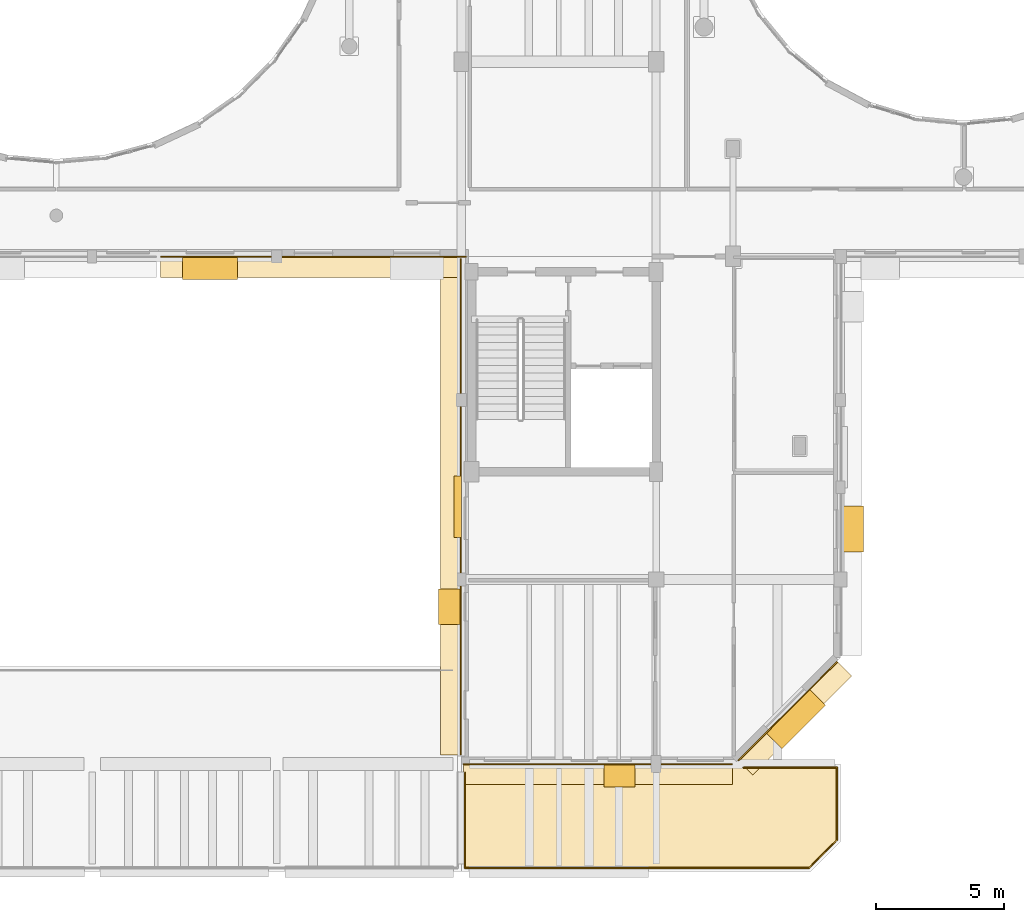
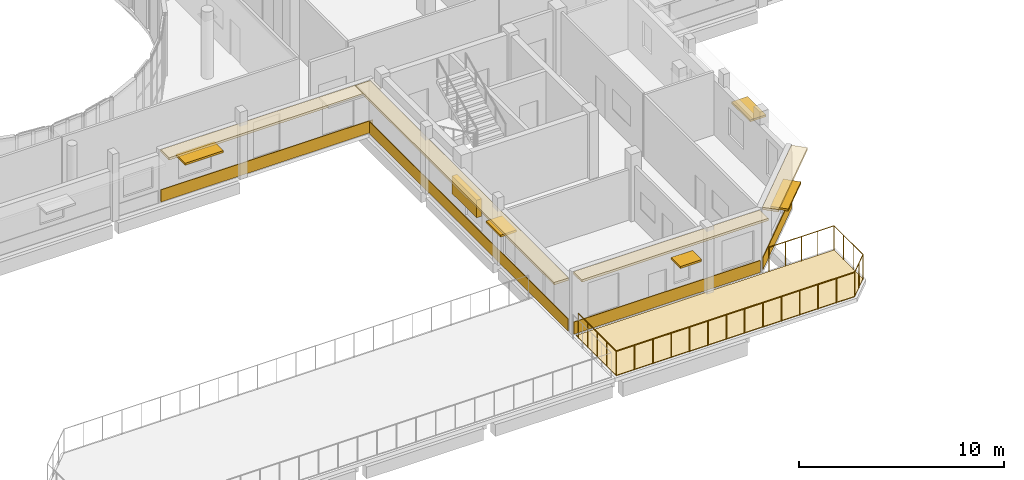
# One storey, part 82 of 92: 9 coverings, 6 shading devices, 2 railings.
"""IFC4 building model written with IfcOpenShell, lengths in metres."""

from ifc_helpers import new_model, si_unit, direction, frame, origin, origin_2d, place, context, subcontext, project, spatial, polyline, rectangle, circle, outline, extrude, material, layer, layer_set, type_object, element, save


model = new_model("IFC4")

# Units and contexts
model_context = context("Model", 3, precision=1e-05, world=origin(), true_north=direction((0.0, 1.0)))
body_context = subcontext(model_context, "Body", "Model", "MODEL_VIEW")
ifc_project = project(units=[si_unit("LENGTHUNIT", "METRE"), si_unit("AREAUNIT", "SQUARE_METRE"), si_unit("VOLUMEUNIT", "CUBIC_METRE"), si_unit("PLANEANGLEUNIT", "RADIAN"), si_unit("MASSUNIT", "GRAM", prefix="KILO")], contexts=[model_context])

# Site, building, storey
site_placement = place(None, origin())
site = spatial("IfcSite", under=ifc_project, at=site_placement, CompositionType="ELEMENT")
building_placement = place(site_placement, origin())
building = spatial("IfcBuilding", under=site, at=building_placement, Name="Kelanivale Promenade Academy", CompositionType="ELEMENT")
storey_placement = place(building_placement, frame((0.0, 0.0, 8.199951171875)))
storey = spatial("IfcBuildingStorey", under=building, at=storey_placement, Name="L02", CompositionType="ELEMENT", Elevation=8.199951171875)

# Coverings
ifc_material_1 = material(Name="Warm ivory Art Deco stucco frieze band 40 mm", Category="masonry")
ifc_layer_1 = layer(ifc_material_1, 0.0400390625)
ifc_layer_set_1 = layer_set([ifc_layer_1], Name="Warm ivory Art Deco stucco frieze band 40 mm")
covering_type_1 = type_object("IfcCoveringType", Name="COV-CLD2 Warm ivory Art Deco stucco frieze ba", PredefinedType="CLADDING", material=ifc_layer_set_1)
covering_1_placement = place(storey_placement, frame((73.43408203125, 41.60009765625, 3.01513671875), z_axis=(0.0, 0.0, 1.0), x_axis=(1.0, 0.0, 0.0)))
element("IfcCovering", 1, at=covering_1_placement, inside=storey, type_object=covering_type_1, Name="Art Deco projecting 820 mm streamline sunshade eyebrow ledge", PredefinedType="CLADDING", context=body_context, shape_type="SweptSolid", body=[
    extrude(rectangle(XDim=11.93310546875, YDim=0.820068359375, at=origin_2d()), origin(), (0.0, 0.0, 1.0), 0.139892578125),
])
covering_2_placement = place(storey_placement, frame((73.43408203125, 41.985107421875, 0.06005859375), z_axis=(0.0, 0.0, 1.0), x_axis=(1.0, 0.0, 0.0)))
element("IfcCovering", 2, at=covering_2_placement, inside=storey, type_object=covering_type_1, Name="Art Deco ivory stucco sill frieze band", PredefinedType="CLADDING", context=body_context, shape_type="SweptSolid", body=[
    extrude(rectangle(XDim=11.93310546875, YDim=0.0400390625, at=origin_2d()), origin(), (0.0, 0.0, 1.0), 0.719970703125),
])
covering_3_placement = place(storey_placement, frame((78.800048828125, 32.239990234375, 3.06494140625), z_axis=(0.0, 0.0, 1.0), x_axis=(0.0, -1.0, 0.0)))
element("IfcCovering", 3, at=covering_3_placement, inside=storey, type_object=covering_type_1, Name="Art Deco projecting 820 mm streamline sunshade eyebrow ledge", PredefinedType="CLADDING", context=body_context, shape_type="SweptSolid", body=[
    extrude(rectangle(XDim=19.360107421875, YDim=0.820068359375, at=origin_2d()), origin(), (0.0, 0.0, 1.0), 0.139892578125),
])
covering_4_placement = place(storey_placement, frame((79.18505859375, 32.239990234375, 0.06005859375), z_axis=(0.0, 0.0, 1.0), x_axis=(0.0, -1.0, 0.0)))
element("IfcCovering", 4, at=covering_4_placement, inside=storey, type_object=covering_type_1, Name="Art Deco ivory stucco sill frieze band", PredefinedType="CLADDING", context=body_context, shape_type="SweptSolid", body=[
    extrude(rectangle(XDim=19.360107421875, YDim=0.0400390625, at=origin_2d()), origin(), (0.0, 0.0, 1.0), 0.719970703125),
])
covering_5_placement = place(storey_placement, frame((84.527099609375, 21.800048828125, 3.6201171875), z_axis=(0.0, 0.0, 1.0), x_axis=(1.0, 0.0, 0.0)))
element("IfcCovering", 5, at=covering_5_placement, inside=storey, type_object=covering_type_1, Name="Art Deco projecting 820 mm streamline sunshade eyebrow ledge", PredefinedType="CLADDING", context=body_context, shape_type="SweptSolid", body=[
    extrude(rectangle(XDim=10.493896484375, YDim=0.820068359375, at=origin_2d()), origin(), (0.0, 0.0, 1.0), 0.139892578125),
])
covering_6_placement = place(storey_placement, frame((84.527099609375, 22.18505859375, 0.06005859375), z_axis=(0.0, 0.0, 1.0), x_axis=(1.0, 0.0, 0.0)))
element("IfcCovering", 6, at=covering_6_placement, inside=storey, type_object=covering_type_1, Name="Art Deco ivory stucco sill frieze band", PredefinedType="CLADDING", context=body_context, shape_type="SweptSolid", body=[
    extrude(rectangle(XDim=10.493896484375, YDim=0.0400390625, at=origin_2d()), origin(), (0.0, 0.0, 1.0), 0.719970703125),
])
covering_7_placement = place(storey_placement, frame((92.2109375, 23.989013671875, 3.6201171875), z_axis=(0.0, 0.0, 1.0), x_axis=(0.707106781187, 0.707106781187, 0.0)))
element("IfcCovering", 7, at=covering_7_placement, inside=storey, type_object=covering_type_1, Name="Art Deco projecting 820 mm streamline sunshade eyebrow ledge", PredefinedType="CLADDING", context=body_context, shape_type="SweptSolid", body=[
    extrude(rectangle(XDim=5.4599609375, YDim=0.820068359375, at=origin_2d()), origin(), (0.0, 0.0, 1.0), 0.139892578125),
])
covering_8_placement = place(storey_placement, frame((91.93896484375, 24.260986328125, 0.06005859375), z_axis=(0.0, 0.0, 1.0), x_axis=(0.707106781187, 0.707106781187, 0.0)))
element("IfcCovering", 8, at=covering_8_placement, inside=storey, type_object=covering_type_1, Name="Art Deco ivory stucco sill frieze band", PredefinedType="CLADDING", context=body_context, shape_type="SweptSolid", body=[
    extrude(rectangle(XDim=5.4599609375, YDim=0.0400390625, at=origin_2d()), origin(), (0.0, 0.0, 1.0), 0.719970703125),
])
ifc_material_2 = material(Name="Impact-absorbing EPDM rooftop Play Deck surfacing 40 mm", Category="masonry")
ifc_layer_2 = layer(ifc_material_2, 0.0400390625)
ifc_layer_set_2 = layer_set([ifc_layer_2], Name="Impact-absorbing EPDM rooftop Play Deck surfacing 40 mm")
covering_type_2 = type_object("IfcCoveringType", Name="COV-FLR3 Impact-absorbing EPDM rooftop Play D", PredefinedType="FLOORING", material=ifc_layer_set_2)
covering_9_placement = place(storey_placement, origin())
element("IfcCovering", 9, at=covering_9_placement, inside=storey, type_object=covering_type_2, Name="Promenade South Link Play Deck EPDM safety surfacing", PredefinedType="FLOORING", context=body_context, shape_type="SweptSolid", body=[
    extrude(outline(polyline([(92.76611328125, 18.139892578125), (93.860107421875, 19.23388671875), (93.860107421875, 22.06005859375), (79.340087890625, 22.06005859375), (79.340087890625, 18.139892578125), (92.76611328125, 18.139892578125)])), origin(), (0.0, 0.0, 1.0), 0.0400390625),
])

# Railings
ifc_material_3 = material(Name="Powder-coated galvanized steel and stainless top rail", Category="steel")
railing_type = type_object("IfcRailingType", Name="GR-02 Play Deck Balustrade 1500mm", PredefinedType="BALUSTRADE", material=ifc_material_3)
railing_1_placement = place(storey_placement, frame((79.340087890625, 18.139892578125, 0.0)))
element("IfcRailing", 10, at=railing_1_placement, inside=storey, type_object=railing_type, Name="Promenade South Link Play Deck 1500 mm safety balustrade", PredefinedType="BALUSTRADE", context=body_context, shape_type="SweptSolid", body=[
    extrude(circle(Radius=0.02392578125, at=origin_2d()), frame((0.0, 0.0, 1.47607421875), z_axis=(0.0, 1.0, 0.0), x_axis=(-1.0, 0.0, 0.0)), (0.0, 0.0, 1.0), 3.710205078125),
    extrude(circle(Radius=0.02099609375, at=origin_2d()), origin(), (0.0, 0.0, 1.0), 1.451904296875),
    extrude(circle(Radius=0.02099609375, at=origin_2d()), frame((0.0, 0.927490234375, 0.0)), (0.0, 0.0, 1.0), 1.451904296875),
    extrude(circle(Radius=0.02099609375, at=origin_2d()), frame((0.0, 1.85498046875, 0.0)), (0.0, 0.0, 1.0), 1.451904296875),
    extrude(circle(Radius=0.02099609375, at=origin_2d()), frame((0.0, 2.78271484375, 0.0)), (0.0, 0.0, 1.0), 1.451904296875),
    extrude(circle(Radius=0.02099609375, at=origin_2d()), frame((0.0, 3.710205078125, 0.0)), (0.0, 0.0, 1.0), 1.451904296875),
])
railing_2_placement = place(storey_placement, frame((90.2109375, 22.06005859375, 0.0)))
element("IfcRailing", 11, at=railing_2_placement, inside=storey, type_object=railing_type, Name="Promenade South Link Play Deck 1500 mm safety balustrade", PredefinedType="BALUSTRADE", context=body_context, shape_type="SweptSolid", body=[
    extrude(circle(Radius=0.02392578125, at=origin_2d()), frame((0.0, 0.0, 1.47607421875), z_axis=(1.0, 0.0, 0.0), x_axis=(0.0, 1.0, 0.0)), (0.0, 0.0, 1.0), 3.649169921875),
    extrude(circle(Radius=0.02392578125, at=origin_2d()), frame((3.649169921875, 0.0, 1.47607421875), z_axis=(0.0, -1.0, 0.0), x_axis=(1.0, 0.0, 0.0)), (0.0, 0.0, 1.0), 2.826171875),
    extrude(circle(Radius=0.02392578125, at=origin_2d()), frame((3.649169921875, -2.826171875, 1.47607421875), z_axis=(-0.707106781187, -0.707106781187, 0.0), x_axis=(0.707106781187, -0.707106781187, 0.0)), (0.0, 0.0, 1.0), 1.547119140625),
    extrude(circle(Radius=0.02392578125, at=origin_2d()), frame((2.55517578125, -3.920166015625, 1.47607421875), z_axis=(-1.0, 0.0, 0.0), x_axis=(0.0, -1.0, 0.0)), (0.0, 0.0, 1.0), 13.426025390625),
    extrude(circle(Radius=0.02099609375, at=origin_2d()), origin(), (0.0, 0.0, 1.0), 1.451904296875),
    extrude(circle(Radius=0.02099609375, at=origin_2d()), frame((0.912353515625, 0.0, 0.0)), (0.0, 0.0, 1.0), 1.451904296875),
    extrude(circle(Radius=0.02099609375, at=origin_2d()), frame((1.82470703125, 0.0, 0.0)), (0.0, 0.0, 1.0), 1.451904296875),
    extrude(circle(Radius=0.02099609375, at=origin_2d()), frame((2.73681640625, 0.0, 0.0)), (0.0, 0.0, 1.0), 1.451904296875),
    extrude(circle(Radius=0.02099609375, at=origin_2d()), frame((3.649169921875, 0.0, 0.0)), (0.0, 0.0, 1.0), 1.451904296875),
    extrude(circle(Radius=0.02099609375, at=origin_2d()), frame((3.649169921875, -0.942138671875, 0.0)), (0.0, 0.0, 1.0), 1.451904296875),
    extrude(circle(Radius=0.02099609375, at=origin_2d()), frame((3.649169921875, -1.884033203125, 0.0)), (0.0, 0.0, 1.0), 1.451904296875),
    extrude(circle(Radius=0.02099609375, at=origin_2d()), frame((3.649169921875, -2.826171875, 0.0)), (0.0, 0.0, 1.0), 1.451904296875),
    extrude(circle(Radius=0.02099609375, at=origin_2d()), frame((3.10205078125, -3.373046875, 0.0)), (0.0, 0.0, 1.0), 1.451904296875),
    extrude(circle(Radius=0.02099609375, at=origin_2d()), frame((2.55517578125, -3.920166015625, 0.0)), (0.0, 0.0, 1.0), 1.451904296875),
    extrude(circle(Radius=0.02099609375, at=origin_2d()), frame((1.5224609375, -3.920166015625, 0.0)), (0.0, 0.0, 1.0), 1.451904296875),
    extrude(circle(Radius=0.02099609375, at=origin_2d()), frame((0.48974609375, -3.920166015625, 0.0)), (0.0, 0.0, 1.0), 1.451904296875),
    extrude(circle(Radius=0.02099609375, at=origin_2d()), frame((-0.543212890625, -3.920166015625, 0.0)), (0.0, 0.0, 1.0), 1.451904296875),
    extrude(circle(Radius=0.02099609375, at=origin_2d()), frame((-1.575927734375, -3.920166015625, 0.0)), (0.0, 0.0, 1.0), 1.451904296875),
    extrude(circle(Radius=0.02099609375, at=origin_2d()), frame((-2.608642578125, -3.920166015625, 0.0)), (0.0, 0.0, 1.0), 1.451904296875),
    extrude(circle(Radius=0.02099609375, at=origin_2d()), frame((-3.641357421875, -3.920166015625, 0.0)), (0.0, 0.0, 1.0), 1.451904296875),
    extrude(circle(Radius=0.02099609375, at=origin_2d()), frame((-4.67431640625, -3.920166015625, 0.0)), (0.0, 0.0, 1.0), 1.451904296875),
    extrude(circle(Radius=0.02099609375, at=origin_2d()), frame((-5.70703125, -3.920166015625, 0.0)), (0.0, 0.0, 1.0), 1.451904296875),
    extrude(circle(Radius=0.02099609375, at=origin_2d()), frame((-6.73974609375, -3.920166015625, 0.0)), (0.0, 0.0, 1.0), 1.451904296875),
    extrude(circle(Radius=0.02099609375, at=origin_2d()), frame((-7.7724609375, -3.920166015625, 0.0)), (0.0, 0.0, 1.0), 1.451904296875),
    extrude(circle(Radius=0.02099609375, at=origin_2d()), frame((-8.805419921875, -3.920166015625, 0.0)), (0.0, 0.0, 1.0), 1.451904296875),
    extrude(circle(Radius=0.02099609375, at=origin_2d()), frame((-9.838134765625, -3.920166015625, 0.0)), (0.0, 0.0, 1.0), 1.451904296875),
    extrude(circle(Radius=0.02099609375, at=origin_2d()), frame((-10.870849609375, -3.920166015625, 0.0)), (0.0, 0.0, 1.0), 1.451904296875),
])

# Shading devices
ifc_material_4 = material(Name="Precast concrete C40/50", Category="concrete")
ifc_layer_3 = layer(ifc_material_4, 0.1201171875)
ifc_layer_set_3 = layer_set([ifc_layer_3], Name="Precast concrete C40/50")
shading_device_type_1 = type_object("IfcShadingDeviceType", Name="SHD-01 Art Deco Sunshade Eyebrow 900mm", PredefinedType="USERDEFINED", material=ifc_layer_set_3)
shading_device_1_placement = place(storey_placement, frame((69.403076171875, 41.56005859375, 2.4599609375), z_axis=(0.0, 0.0, 1.0), x_axis=(1.0, 0.0, 0.0)))
element("IfcShadingDevice", 12, at=shading_device_1_placement, inside=storey, type_object=shading_device_type_1, Name="Art Deco 900 mm precast chajja window sunshade", ObjectType="SUNSHADE", PredefinedType="USERDEFINED", context=body_context, shape_type="SweptSolid", body=[
    extrude(rectangle(XDim=2.14990234375, YDim=0.89990234375, at=origin_2d()), origin(), (0.0, 0.0, 1.0), 0.1201171875),
])
shading_device_2_placement = place(storey_placement, frame((78.760009765625, 28.3359375, 2.860107421875), z_axis=(0.0, 0.0, 1.0), x_axis=(0.0, -1.0, 0.0)))
element("IfcShadingDevice", 13, at=shading_device_2_placement, inside=storey, type_object=shading_device_type_1, Name="Art Deco 900 mm precast chajja window sunshade", ObjectType="SUNSHADE", PredefinedType="USERDEFINED", context=body_context, shape_type="SweptSolid", body=[
    extrude(rectangle(XDim=1.39990234375, YDim=0.89990234375, at=origin_2d()), origin(), (0.0, 0.0, 1.0), 0.1201171875),
])
shading_device_3_placement = place(storey_placement, frame((85.376953125, 21.760009765625, 2.56005859375), z_axis=(0.0, 0.0, 1.0), x_axis=(1.0, 0.0, 0.0)))
element("IfcShadingDevice", 14, at=shading_device_3_placement, inside=storey, type_object=shading_device_type_1, Name="Art Deco 900 mm precast chajja window sunshade", ObjectType="SUNSHADE", PredefinedType="USERDEFINED", context=body_context, shape_type="SweptSolid", body=[
    extrude(rectangle(XDim=1.199951171875, YDim=0.89990234375, at=origin_2d()), origin(), (0.0, 0.0, 1.0), 0.1201171875),
])
shading_device_4_placement = place(storey_placement, frame((92.239013671875, 23.9609375, 2.659912109375), z_axis=(0.0, 0.0, 1.0), x_axis=(0.707106781187, 0.707106781187, 0.0)))
element("IfcShadingDevice", 15, at=shading_device_4_placement, inside=storey, type_object=shading_device_type_1, Name="Art Deco 900 mm precast chajja window sunshade", ObjectType="SUNSHADE", PredefinedType="USERDEFINED", context=body_context, shape_type="SweptSolid", body=[
    extrude(rectangle(XDim=2.39990234375, YDim=0.89990234375, at=origin_2d()), origin(), (0.0, 0.0, 1.0), 0.1201171875),
])
shading_device_5_placement = place(storey_placement, frame((94.43994140625, 31.365966796875, 2.510009765625), z_axis=(0.0, 0.0, 1.0), x_axis=(0.0, 1.0, 0.0)))
element("IfcShadingDevice", 16, at=shading_device_5_placement, inside=storey, type_object=shading_device_type_1, Name="Art Deco 900 mm precast chajja window sunshade", ObjectType="SUNSHADE", PredefinedType="USERDEFINED", context=body_context, shape_type="SweptSolid", body=[
    extrude(rectangle(XDim=1.800048828125, YDim=0.89990234375, at=origin_2d()), origin(), (0.0, 0.0, 1.0), 0.1201171875),
])
ifc_material_5 = material(Name="Bronze anodised aluminium EN AW-6063 T6", Category="aluminium")
ifc_layer_4 = layer(ifc_material_5, 0.080078125)
ifc_layer_set_4 = layer_set([ifc_layer_4], Name="Bronze anodised aluminium EN AW-6063 T6")
shading_device_type_2 = type_object("IfcShadingDeviceType", Name="SHD-02 Perforated Brise-Soleil Screen", PredefinedType="JALOUSIE", material=ifc_layer_set_4)
shading_device_6_placement = place(storey_placement, frame((79.06494140625, 32.239990234375, 1.72509765625), z_axis=(0.0, 0.0, 1.0), x_axis=(0.0, -1.0, 0.0)))
element("IfcShadingDevice", 17, at=shading_device_6_placement, inside=storey, type_object=shading_device_type_2, Name="Perforated Art Deco brise-soleil louvre screen", PredefinedType="JALOUSIE", context=body_context, shape_type="SweptSolid", body=[
    extrude(rectangle(XDim=2.39990234375, YDim=0.280029296875, at=origin_2d()), origin(), (0.0, 0.0, 1.0), 1.050048828125),
])

save(model, "model.ifc")
